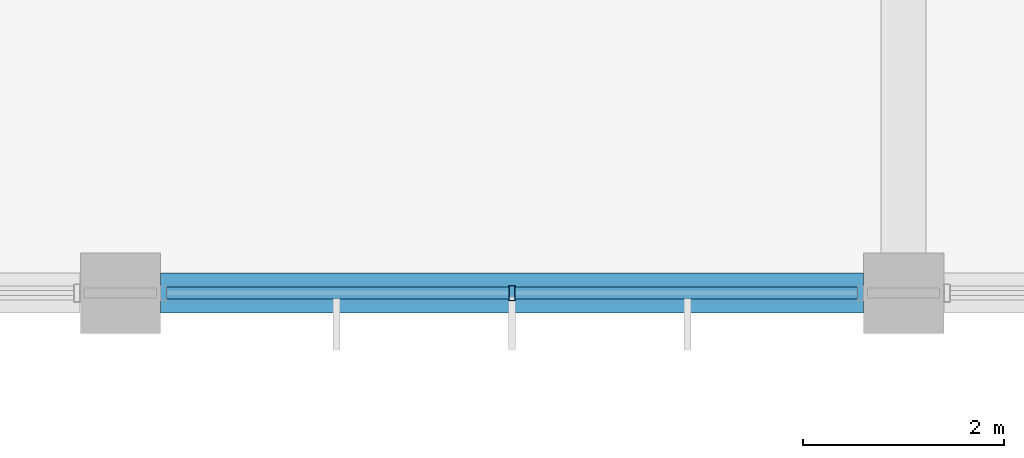
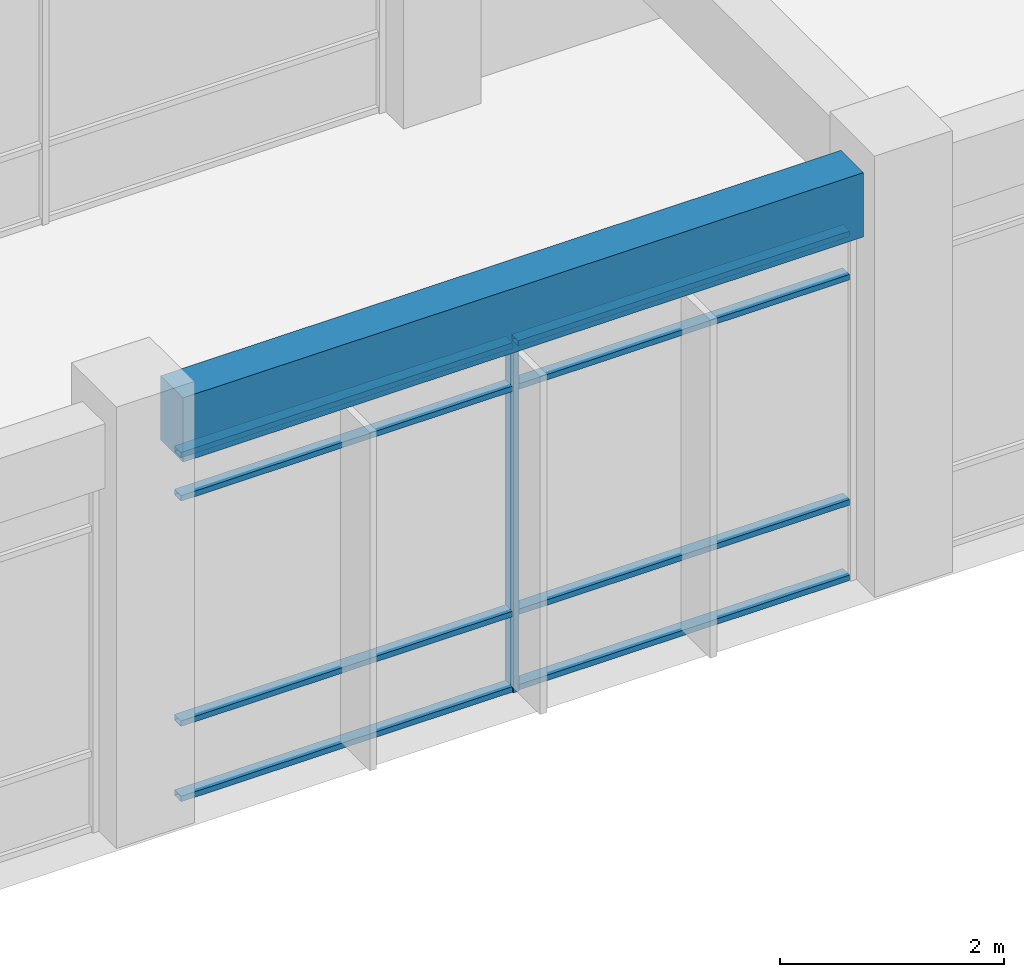
# One storey, part 12 of 62: 9 members, 1 beam, 1 element without a shape of its own.
"""IFC4 building model written with IfcOpenShell, lengths in metres."""

from ifc_helpers import new_model, si_unit, direction, frame, origin, origin_2d, place, context, subcontext, project, spatial, rectangle, hollow_rectangle, extrude, material, material_profile, profile_set, type_object, element, aggregate, save


model = new_model("IFC4")

# Units and contexts
model_context = context("Model", 3, precision=1e-05, world=origin(), true_north=direction((0.0, 1.0)))
body_context = subcontext(model_context, "Body", "Model", "MODEL_VIEW")
ifc_project = project(units=[si_unit("LENGTHUNIT", "METRE"), si_unit("AREAUNIT", "SQUARE_METRE"), si_unit("VOLUMEUNIT", "CUBIC_METRE"), si_unit("PLANEANGLEUNIT", "RADIAN"), si_unit("MASSUNIT", "GRAM", prefix="KILO"), si_unit("THERMODYNAMICTEMPERATUREUNIT", "KELVIN"), si_unit("POWERUNIT", "WATT")], contexts=[model_context])

# Site, building, storey
site_placement = place(None, origin())
site = spatial("IfcSite", under=ifc_project, at=site_placement, CompositionType="ELEMENT")
building_placement = place(site_placement, origin())
building = spatial("IfcBuilding", under=site, at=building_placement, Name="Srebrne Nadtorze General Hospital", CompositionType="ELEMENT")
storey_placement = place(building_placement, frame((0.0, 0.0, 9.60009765625)))
storey = spatial("IfcBuildingStorey", under=building, at=storey_placement, Name="L02", CompositionType="ELEMENT", Elevation=9.60009765625)

# Curtain wall, members
ifc_material_1 = material(Name="Anodised Aluminium", Category="aluminium")
curtain_wall_type = type_object("IfcCurtainWallType", Name="Unitised curtain wall 7000x3800", PredefinedType="NOTDEFINED", material=ifc_material_1)
curtain_wall_placement = place(storey_placement, origin())
curtain_wall = element("IfcCurtainWall", 1, at=curtain_wall_placement, inside=storey, type_object=curtain_wall_type, Name="Curtain wall CW-070", PredefinedType="NOTDEFINED")
ifc_material_2 = material(Name="Anodised Aluminium", Category="aluminium")
ifc_material_profile_1 = material_profile(ifc_material_2, hollow_rectangle(XDim=0.06005859375, YDim=0.14990234375, WallThickness=0.00390625, at=origin_2d()), Name="AL-MUL-60x150")
ifc_profile_set_1 = profile_set([ifc_material_profile_1], Name="Anodised Aluminium")
member_type_1 = type_object("IfcMemberType", Name="Curtain mullion 60x150", PredefinedType="MULLION", material=ifc_profile_set_1)
member_1_placement = place(storey_placement, frame((128.699951171875, 0.0, 0.0), z_axis=(0.0, 0.0, 1.0), x_axis=(1.0, 0.0, 0.0)))
member_1 = element("IfcMember", 2, at=member_1_placement, type_object=member_type_1, Name="CW-070 mullion 2", PredefinedType="MULLION", context=body_context, shape_type="SweptSolid", body=[
    extrude(hollow_rectangle(XDim=0.06005859375, YDim=0.14990234375, WallThickness=0.00390625, at=origin_2d()), origin(), (0.0, 0.0, 1.0), 3.7998046875),
])
ifc_material_3 = material(Name="Anodised Aluminium", Category="aluminium")
ifc_material_profile_2 = material_profile(ifc_material_3, hollow_rectangle(XDim=0.06005859375, YDim=0.1201171875, WallThickness=0.00390625, at=origin_2d()), Name="AL-TRN-60x120")
ifc_profile_set_2 = profile_set([ifc_material_profile_2], Name="Anodised Aluminium")
member_type_2 = type_object("IfcMemberType", Name="Curtain transom 60x120", PredefinedType="USERDEFINED", material=ifc_profile_set_2)
member_2_placement = place(storey_placement, frame((125.260009765625, 0.0, 0.02978515625), z_axis=(1.0, 0.0, 0.0), x_axis=(0.0, 0.0, 1.0)))
member_2 = element("IfcMember", 3, at=member_2_placement, type_object=member_type_2, Name="CW-070 transom 1.1", ObjectType="TRANSOM", PredefinedType="USERDEFINED", context=body_context, shape_type="SweptSolid", body=[
    extrude(hollow_rectangle(XDim=0.06005859375, YDim=0.1201171875, WallThickness=0.00390625, at=origin_2d()), origin(), (0.0, 0.0, 1.0), 3.409912109375),
])
member_3_placement = place(storey_placement, frame((125.260009765625, 0.0, 0.849853515625), z_axis=(1.0, 0.0, 0.0), x_axis=(0.0, 0.0, 1.0)))
member_3 = element("IfcMember", 4, at=member_3_placement, type_object=member_type_2, Name="CW-070 transom 1.2", ObjectType="TRANSOM", PredefinedType="USERDEFINED", context=body_context, shape_type="SweptSolid", body=[
    extrude(hollow_rectangle(XDim=0.06005859375, YDim=0.1201171875, WallThickness=0.00390625, at=origin_2d()), origin(), (0.0, 0.0, 1.0), 3.409912109375),
])
member_4_placement = place(storey_placement, frame((125.260009765625, 0.0, 3.2998046875), z_axis=(1.0, 0.0, 0.0), x_axis=(0.0, 0.0, 1.0)))
member_4 = element("IfcMember", 5, at=member_4_placement, type_object=member_type_2, Name="CW-070 transom 1.3", ObjectType="TRANSOM", PredefinedType="USERDEFINED", context=body_context, shape_type="SweptSolid", body=[
    extrude(hollow_rectangle(XDim=0.06005859375, YDim=0.1201171875, WallThickness=0.00390625, at=origin_2d()), origin(), (0.0, 0.0, 1.0), 3.409912109375),
])
member_5_placement = place(storey_placement, frame((125.260009765625, 0.0, 3.77001953125), z_axis=(1.0, 0.0, 0.0), x_axis=(0.0, 0.0, 1.0)))
member_5 = element("IfcMember", 6, at=member_5_placement, type_object=member_type_2, Name="CW-070 transom 1.4", ObjectType="TRANSOM", PredefinedType="USERDEFINED", context=body_context, shape_type="SweptSolid", body=[
    extrude(hollow_rectangle(XDim=0.06005859375, YDim=0.1201171875, WallThickness=0.00390625, at=origin_2d()), origin(), (0.0, 0.0, 1.0), 3.409912109375),
])
member_6_placement = place(storey_placement, frame((128.72998046875, 0.0, 0.02978515625), z_axis=(1.0, 0.0, 0.0), x_axis=(0.0, 0.0, 1.0)))
member_6 = element("IfcMember", 7, at=member_6_placement, type_object=member_type_2, Name="CW-070 transom 2.1", ObjectType="TRANSOM", PredefinedType="USERDEFINED", context=body_context, shape_type="SweptSolid", body=[
    extrude(hollow_rectangle(XDim=0.06005859375, YDim=0.1201171875, WallThickness=0.00390625, at=origin_2d()), origin(), (0.0, 0.0, 1.0), 3.409912109375),
])
member_7_placement = place(storey_placement, frame((128.72998046875, 0.0, 0.849853515625), z_axis=(1.0, 0.0, 0.0), x_axis=(0.0, 0.0, 1.0)))
member_7 = element("IfcMember", 8, at=member_7_placement, type_object=member_type_2, Name="CW-070 transom 2.2", ObjectType="TRANSOM", PredefinedType="USERDEFINED", context=body_context, shape_type="SweptSolid", body=[
    extrude(hollow_rectangle(XDim=0.06005859375, YDim=0.1201171875, WallThickness=0.00390625, at=origin_2d()), origin(), (0.0, 0.0, 1.0), 3.409912109375),
])
member_8_placement = place(storey_placement, frame((128.72998046875, 0.0, 3.2998046875), z_axis=(1.0, 0.0, 0.0), x_axis=(0.0, 0.0, 1.0)))
member_8 = element("IfcMember", 9, at=member_8_placement, type_object=member_type_2, Name="CW-070 transom 2.3", ObjectType="TRANSOM", PredefinedType="USERDEFINED", context=body_context, shape_type="SweptSolid", body=[
    extrude(hollow_rectangle(XDim=0.06005859375, YDim=0.1201171875, WallThickness=0.00390625, at=origin_2d()), origin(), (0.0, 0.0, 1.0), 3.409912109375),
])
member_9_placement = place(storey_placement, frame((128.72998046875, 0.0, 3.77001953125), z_axis=(1.0, 0.0, 0.0), x_axis=(0.0, 0.0, 1.0)))
member_9 = element("IfcMember", 10, at=member_9_placement, type_object=member_type_2, Name="CW-070 transom 2.4", ObjectType="TRANSOM", PredefinedType="USERDEFINED", context=body_context, shape_type="SweptSolid", body=[
    extrude(hollow_rectangle(XDim=0.06005859375, YDim=0.1201171875, WallThickness=0.00390625, at=origin_2d()), origin(), (0.0, 0.0, 1.0), 3.409912109375),
])
aggregate(curtain_wall, [member_1, member_2, member_3, member_4, member_5, member_6, member_7, member_8, member_9])

# Beam
ifc_material_4 = material(Name="Concrete C40/50", Category="concrete")
ifc_material_profile_3 = material_profile(ifc_material_4, rectangle(XDim=0.39990234375, YDim=0.699951171875, at=origin_2d()), Name="RC-BM-400x700")
ifc_profile_set_3 = profile_set([ifc_material_profile_3], Name="Concrete C40/50")
beam_type = type_object("IfcBeamType", Name="Edge beam RC 400x700", PredefinedType="BEAM", material=ifc_profile_set_3)
beam_placement = place(storey_placement, frame((125.199951171875, 0.0, 4.14990234375), z_axis=(1.0, 0.0, 0.0), x_axis=(0.0, 1.0, 0.0)))
element("IfcBeam", 11, at=beam_placement, inside=storey, type_object=beam_type, Name="Beam BM-L02-X-0560", PredefinedType="BEAM", context=body_context, shape_type="SweptSolid", body=[
    extrude(rectangle(XDim=0.39990234375, YDim=0.699951171875, at=origin_2d()), origin(), (0.0, 0.0, 1.0), 7.0),
])

save(model, "model.ifc")
